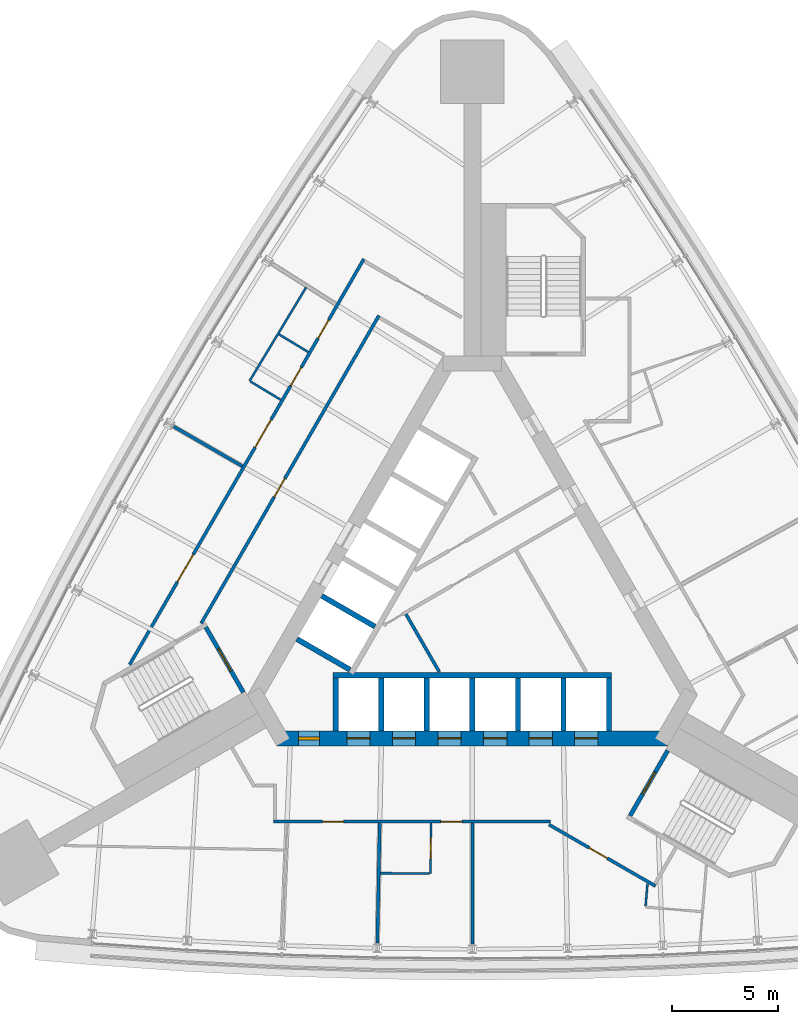
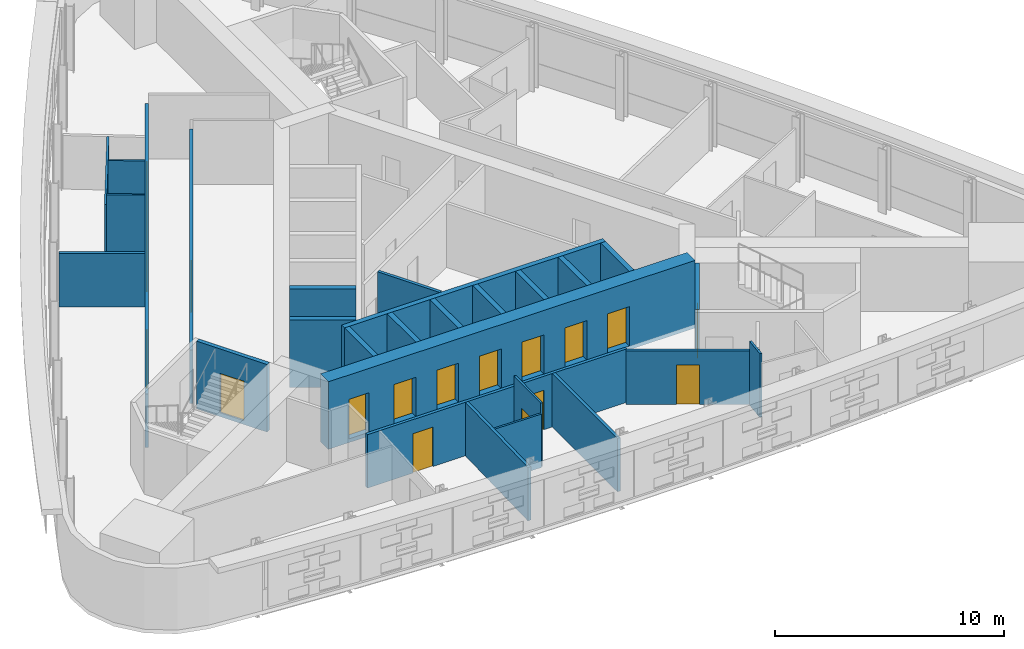
# One storey, part 7 of 11: 27 walls, 18 doors, 18 openings.
"""IFC4 building model written with IfcOpenShell, lengths in metres."""

import ifcopenshell
import ifcopenshell.guid

model = None  # the IFC model being written
_history = None  # IfcOwnerHistory: only IFC2X3 demands one
_inside = {}  # id of a spatial element -> (the spatial element, [elements in it])
_under = {}  # id of a project, library or spatial element -> (it, [spatial elements below it])
_declared = {}  # id of a project -> (the project, [libraries it declares])
_typed = {}  # id of a type object -> (the type object, [elements of that type])
_made_of = {}  # id of a material, layer set ... -> (it, [elements and type objects made of it])


def new_model(schema):
    """Start an empty IFC model of exactly this schema.

    Asked for "IFC4X3", IfcOpenShell would pick the latest addendum, in which some entities
    have other attributes; the version numbers below select the first issue.
    IFC2X3 requires an IfcOwnerHistory on every rooted entity: one is made here for all.
    """
    global model, _history
    if schema == "IFC4X3":
        model = ifcopenshell.file(schema_version=(4, 3, 0, 0))
    else:
        model = ifcopenshell.file(schema=schema)
    _inside.clear()
    _under.clear()
    _declared.clear()
    _typed.clear()
    _made_of.clear()
    _history = None
    if model.schema == "IFC2X3":
        org = make("IfcOrganization", Name="unknown")
        user = make(
            "IfcPersonAndOrganization",
            ThePerson=make("IfcPerson", FamilyName="unknown"),
            TheOrganization=org,
        )
        app = make(
            "IfcApplication",
            ApplicationDeveloper=org,
            Version="unknown",
            ApplicationFullName="unknown",
            ApplicationIdentifier="unknown",
        )
        _history = make(
            "IfcOwnerHistory",
            OwningUser=user,
            OwningApplication=app,
            ChangeAction="ADDED",
            CreationDate=0,
        )
    return model


def make(cls, **values):
    """One entity of the class cls with the attributes given. An attribute that is None is left unset."""
    return model.create_entity(
        cls, **{name: value for name, value in values.items() if value is not None}
    )


def rooted(cls, **values):
    """An entity with a GlobalId (a new one), such as an element, a storey or a relation."""
    return make(cls, GlobalId=ifcopenshell.guid.new(), OwnerHistory=_history, **values)


def si_unit(unit_type, name, prefix=None):
    """IfcSIUnit, for example si_unit("LENGTHUNIT", "METRE", prefix="MILLI")."""
    return make("IfcSIUnit", UnitType=unit_type, Prefix=prefix, Name=name)


def assignment(units):
    """IfcUnitAssignment: the units of a project."""
    return None if units is None else make("IfcUnitAssignment", Units=units)


def point(xyz):
    """IfcCartesianPoint."""
    return None if xyz is None else make("IfcCartesianPoint", Coordinates=xyz)


def direction(xyz):
    """IfcDirection."""
    return None if xyz is None else make("IfcDirection", DirectionRatios=xyz)


def frame(location, z_axis=None, x_axis=None):
    """IfcAxis2Placement3D, a coordinate frame: its origin and axes. An axis left out is left unset."""
    return make(
        "IfcAxis2Placement3D",
        Location=point(location),
        Axis=direction(z_axis),
        RefDirection=direction(x_axis),
    )


def frame_2d(location, x_axis=None):
    """IfcAxis2Placement2D, a coordinate frame in the plane: its origin and x axis."""
    return make(
        "IfcAxis2Placement2D", Location=point(location), RefDirection=direction(x_axis)
    )


def origin():
    """The frame at (0, 0, 0) with its axes left unset."""
    return frame((0.0, 0.0, 0.0))


def place(relative_to, where):
    """IfcLocalPlacement: puts the frame where relative to a parent placement (None: the world)."""
    return make(
        "IfcLocalPlacement", PlacementRelTo=relative_to, RelativePlacement=where
    )


def context(
    kind, dimensions, precision=None, world=None, true_north=None, identifier=None
):
    """IfcGeometricRepresentationContext, for example the 3D "Model" context."""
    return make(
        "IfcGeometricRepresentationContext",
        ContextIdentifier=identifier,
        ContextType=kind,
        CoordinateSpaceDimension=dimensions,
        Precision=precision,
        WorldCoordinateSystem=world,
        TrueNorth=true_north,
    )


def subcontext(parent, identifier, kind, view, scale=None):
    """IfcGeometricRepresentationSubContext, for example "Body" below "Model"."""
    return make(
        "IfcGeometricRepresentationSubContext",
        ContextIdentifier=identifier,
        ContextType=kind,
        ParentContext=parent,
        TargetScale=scale,
        TargetView=view,
    )


def project(units=None, contexts=None):
    """IfcProject with its units and contexts."""
    return rooted(
        "IfcProject",
        Name="project",
        RepresentationContexts=contexts,
        UnitsInContext=assignment(units),
    )


def spatial(cls, under=None, at=None, **own):
    """A site, building, storey or space (cls), placed at a placement, below another one or the project."""
    s = rooted(cls, ObjectPlacement=at, **own)
    if under is not None:
        _under.setdefault(under.id(), (under, []))[1].append(s)
    return s


def profile(cls, at=None, kind="AREA", **sizes):
    """A parametric profile (cls). Its sizes go by their IFC names, for example OverallWidth=200.0."""
    return make(cls, ProfileType=kind, Position=at, **sizes)


def rectangle(**sizes):
    """IfcRectangleProfileDef."""
    return profile("IfcRectangleProfileDef", **sizes)


def extrude(swept, where, along, depth):
    """IfcExtrudedAreaSolid: the profile swept, set in the frame where, extruded along a direction by depth."""
    return make(
        "IfcExtrudedAreaSolid",
        SweptArea=swept,
        Position=where,
        ExtrudedDirection=direction(along),
        Depth=depth,
    )


def shape(context_of_items, identifier, shape_type, items):
    """IfcShapeRepresentation: the items that make up one representation, for example the "Body"."""
    return make(
        "IfcShapeRepresentation",
        ContextOfItems=context_of_items,
        RepresentationIdentifier=identifier,
        RepresentationType=shape_type,
        Items=items,
    )


def material(Name=None, Category=None):
    """IfcMaterial."""
    return make("IfcMaterial", Name=Name, Category=Category)


def layer(
    of_material, thickness, ventilated=None, Name=None, Category=None, Priority=None
):
    """IfcMaterialLayer: one layer of a wall or slab, of a material (None: an air gap)."""
    return make(
        "IfcMaterialLayer",
        Material=of_material,
        LayerThickness=thickness,
        IsVentilated=ventilated,
        Name=Name,
        Category=Category,
        Priority=Priority,
    )


def layer_set(layers, Name=None):
    """IfcMaterialLayerSet."""
    return make("IfcMaterialLayerSet", MaterialLayers=layers, LayerSetName=Name)


def made_of(thing, what):
    """Note that an element or type object is made of a material, layer set ...; save() writes the relation."""
    if what is not None:
        _made_of.setdefault(what.id(), (what, []))[1].append(thing)
    return thing


def type_object(cls, material=None, **own):
    """A type object (cls), such as IfcWallType, which elements share."""
    return made_of(rooted(cls, **own), material)


def element(
    cls,
    number,
    at=None,
    inside=None,
    cuts=None,
    type_object=None,
    material=None,
    context=None,
    identifier="Body",
    shape_type=None,
    held_by="IfcProductDefinitionShape",
    body=None,
    shapes=None,
    **own,
):
    """One element of the class cls, such as IfcWall. Its Tag is "e" and its number.

    at: its placement. inside: the storey or other place that contains it. cuts: it is an
    opening in that element (IfcRelVoidsElement). A single representation is given by context,
    identifier, shape_type and body (its items); several are given by shapes. held_by: the class
    of the entity that holds the representations. save() writes the other relations.
    """
    e = rooted(cls, Tag="e%d" % number, ObjectPlacement=at, **own)
    if body is not None:
        shapes = [shape(context, identifier, shape_type, body)]
    if shapes is not None:
        e.Representation = make(held_by, Representations=shapes)
    if inside is not None:
        _inside.setdefault(inside.id(), (inside, []))[1].append(e)
    if cuts is not None:
        rooted(
            "IfcRelVoidsElement", RelatingBuildingElement=cuts, RelatedOpeningElement=e
        )
    if type_object is not None:
        _typed.setdefault(type_object.id(), (type_object, []))[1].append(e)
    return made_of(e, material)


def fill(opening, filler):
    """IfcRelFillsElement: the door or window that sits in an opening."""
    return rooted(
        "IfcRelFillsElement",
        RelatingOpeningElement=opening,
        RelatedBuildingElement=filler,
    )


def aggregate(whole, parts):
    """IfcRelAggregates: a whole, such as a stair, and the parts it consists of."""
    return rooted("IfcRelAggregates", RelatingObject=whole, RelatedObjects=parts)


def save(model, path):
    """Write the relations noted so far, then the file.

    IfcRelAggregates (storeys below a building ...), IfcRelContainedInSpatialStructure (elements
    in a storey), IfcRelDefinesByType, IfcRelAssociatesMaterial and IfcRelDeclares: one each for
    every whole, place, type object, material and project.
    """
    for whole, parts in _under.values():
        aggregate(whole, parts)
    for where, things in _inside.values():
        rooted(
            "IfcRelContainedInSpatialStructure",
            RelatedElements=things,
            RelatingStructure=where,
        )
    for kind, things in _typed.values():
        rooted("IfcRelDefinesByType", RelatedObjects=things, RelatingType=kind)
    for what, things in _made_of.values():
        rooted("IfcRelAssociatesMaterial", RelatedObjects=things, RelatingMaterial=what)
    for by, libraries in _declared.values():
        rooted("IfcRelDeclares", RelatingContext=by, RelatedDefinitions=libraries)
    model.write(path)


model = new_model("IFC4")

# Units and contexts
model_context = context("Model", 3, precision=1e-05, world=origin(), true_north=direction((0.0, 1.0)))
body_context = subcontext(model_context, "Body", "Model", "MODEL_VIEW")
ifc_project = project(units=[si_unit("LENGTHUNIT", "METRE"), si_unit("AREAUNIT", "SQUARE_METRE"), si_unit("VOLUMEUNIT", "CUBIC_METRE"), si_unit("PLANEANGLEUNIT", "RADIAN"), si_unit("MASSUNIT", "GRAM", prefix="KILO")], contexts=[model_context])

# Site, building, storey
site_placement = place(None, origin())
site = spatial("IfcSite", under=ifc_project, at=site_placement, CompositionType="ELEMENT")
building_placement = place(site_placement, origin())
building = spatial("IfcBuilding", under=site, at=building_placement, Name="Noor Cloister Tower", CompositionType="ELEMENT")
storey_placement = place(building_placement, frame((0.0, 0.0, 113.10009765625)))
storey = spatial("IfcBuildingStorey", under=building, at=storey_placement, Name="L29", CompositionType="ELEMENT", Elevation=113.10009765625)

# Wall
ifc_material_1 = material(Name="Concrete C30/37", Category="concrete")
ifc_layer_1 = layer(ifc_material_1, 0.14990234375)
ifc_layer_set_1 = layer_set([ifc_layer_1], Name="Core partition 150 C30/37")
wall_type_1 = type_object("IfcWallType", Name="Core partition 150 C30/37", PredefinedType="PARTITIONING", material=ifc_layer_set_1)
wall_1_placement = place(storey_placement, frame((-1.561279296875, -3.439208984375, 0.0), z_axis=(0.0, 0.0, 1.0), x_axis=(-0.499989077369, 0.866031709877, 0.0)))
element("IfcWall", 1, at=wall_1_placement, inside=storey, type_object=wall_type_1, Name="Core room partition L29 3", PredefinedType="PARTITIONING", context=body_context, shape_type="SweptSolid", body=[
    extrude(rectangle(XDim=3.14404296875, YDim=0.14990234375, at=frame_2d((1.572021484375, 0.0))), origin(), (0.0, 0.0, 1.0), 3.39990234375),
])

# Wall, openings, doors
ifc_material_2 = material(Name="Concrete C80/95", Category="concrete")
ifc_layer_2 = layer(ifc_material_2, 0.699951171875)
ifc_layer_set_2 = layer_set([ifc_layer_2], Name="Core wall 700 C80/95")
wall_type_2 = type_object("IfcWallType", Name="Core wall 700 C80/95", PredefinedType="SHEAR", material=ifc_layer_set_2)
wall_2_placement = place(storey_placement, frame((-9.228759765625, -6.578125, -0.2001953125), z_axis=(0.0, 0.0, 1.0), x_axis=(1.0, 0.0, 0.0)))
wall_2 = element("IfcWall", 2, at=wall_2_placement, inside=storey, type_object=wall_type_2, Name="Core wall L29 1", PredefinedType="SHEAR", context=body_context, shape_type="SweptSolid", body=[
    extrude(rectangle(XDim=18.45751953125, YDim=0.699951171875, at=frame_2d((9.228759765625, 0.0))), origin(), (0.0, 0.0, 1.0), 3.60009765625),
])
opening_1_placement = place(wall_2_placement, frame((3.3037109375, 0.0, 0.199951171875)))
opening_1 = element("IfcOpeningElement", 3, at=opening_1_placement, cuts=wall_2, Name="Opening L29-LR1", PredefinedType="OPENING", context=body_context, shape_type="SweptSolid", body=[
    extrude(rectangle(XDim=1.10009765625, YDim=2.10009765625, at=frame_2d((0.550048828125, 1.050048828125))), frame((0.0, 0.35986328125, 0.0), z_axis=(0.0, -1.0, 0.0), x_axis=(1.0, 0.0, 0.0)), (0.0, 0.0, 1.0), 0.719970703125),
])
opening_2_placement = place(wall_2_placement, frame((5.45361328125, 0.0, 0.199951171875)))
opening_2 = element("IfcOpeningElement", 4, at=opening_2_placement, cuts=wall_2, Name="Opening L29-LR2", PredefinedType="OPENING", context=body_context, shape_type="SweptSolid", body=[
    extrude(rectangle(XDim=1.10009765625, YDim=2.10009765625, at=frame_2d((0.550048828125, 1.050048828125))), frame((0.0, 0.35986328125, 0.0), z_axis=(0.0, -1.0, 0.0), x_axis=(1.0, 0.0, 0.0)), (0.0, 0.0, 1.0), 0.719970703125),
])
opening_3_placement = place(wall_2_placement, frame((7.603759765625, 0.0, 0.199951171875)))
opening_3 = element("IfcOpeningElement", 5, at=opening_3_placement, cuts=wall_2, Name="Opening L29-LR3", PredefinedType="OPENING", context=body_context, shape_type="SweptSolid", body=[
    extrude(rectangle(XDim=1.10009765625, YDim=2.10009765625, at=frame_2d((0.550048828125, 1.050048828125))), frame((0.0, 0.35986328125, 0.0), z_axis=(0.0, -1.0, 0.0), x_axis=(1.0, 0.0, 0.0)), (0.0, 0.0, 1.0), 0.719970703125),
])
opening_4_placement = place(wall_2_placement, frame((9.753662109375, 0.0, 0.199951171875)))
opening_4 = element("IfcOpeningElement", 6, at=opening_4_placement, cuts=wall_2, Name="Opening L29-LR4", PredefinedType="OPENING", context=body_context, shape_type="SweptSolid", body=[
    extrude(rectangle(XDim=1.10009765625, YDim=2.10009765625, at=frame_2d((0.550048828125, 1.050048828125))), frame((0.0, 0.35986328125, 0.0), z_axis=(0.0, -1.0, 0.0), x_axis=(1.0, 0.0, 0.0)), (0.0, 0.0, 1.0), 0.719970703125),
])
opening_5_placement = place(wall_2_placement, frame((11.90380859375, 0.0, 0.199951171875)))
opening_5 = element("IfcOpeningElement", 7, at=opening_5_placement, cuts=wall_2, Name="Opening L29-LR5", PredefinedType="OPENING", context=body_context, shape_type="SweptSolid", body=[
    extrude(rectangle(XDim=1.10009765625, YDim=2.10009765625, at=frame_2d((0.550048828125, 1.050048828125))), frame((0.0, 0.35986328125, 0.0), z_axis=(0.0, -1.0, 0.0), x_axis=(1.0, 0.0, 0.0)), (0.0, 0.0, 1.0), 0.719970703125),
])
opening_6_placement = place(wall_2_placement, frame((14.0537109375, 0.0, 0.199951171875)))
opening_6 = element("IfcOpeningElement", 8, at=opening_6_placement, cuts=wall_2, Name="Opening L29-LR6", PredefinedType="OPENING", context=body_context, shape_type="SweptSolid", body=[
    extrude(rectangle(XDim=1.10009765625, YDim=2.10009765625, at=frame_2d((0.550048828125, 1.050048828125))), frame((0.0, 0.35986328125, 0.0), z_axis=(0.0, -1.0, 0.0), x_axis=(1.0, 0.0, 0.0)), (0.0, 0.0, 1.0), 0.719970703125),
])
opening_7_placement = place(wall_2_placement, frame((1.02880859375, 0.0, 0.199951171875)))
opening_7 = element("IfcOpeningElement", 9, at=opening_7_placement, cuts=wall_2, Name="Opening L29-907", PredefinedType="OPENING", context=body_context, shape_type="SweptSolid", body=[
    extrude(rectangle(XDim=1.0, YDim=2.10009765625, at=frame_2d((0.5, 1.050048828125))), frame((0.0, 0.35986328125, 0.0), z_axis=(0.0, -1.0, 0.0), x_axis=(1.0, 0.0, 0.0)), (0.0, 0.0, 1.0), 0.719970703125),
])
ifc_material_3 = material(Name="Steel", Category="steel")
door_type_1 = type_object("IfcDoorType", Name="Core door 1000 x 2100 FD60", OperationType="SINGLE_SWING_LEFT", PredefinedType="DOOR", material=ifc_material_3)
door_1_placement = place(opening_7_placement, origin())
door_1 = element("IfcDoor", 10, at=door_1_placement, inside=storey, type_object=door_type_1, Name="Core door 7 L29", OperationType="SINGLE_SWING_LEFT", OverallHeight=2.10009765625, OverallWidth=1.0, PredefinedType="DOOR", context=body_context, shape_type="SweptSolid", body=[
    extrude(rectangle(XDim=1.0, YDim=2.10009765625, at=frame_2d((0.5, 1.050048828125))), frame((0.0, 0.074951171875, 0.0), z_axis=(0.0, -1.0, 0.0), x_axis=(1.0, 0.0, 0.0)), (0.0, 0.0, 1.0), 0.14990234375),
])
fill(opening_7, door_1)
ifc_material_4 = material(Name="Stainless steel", Category="steel")
door_type_2 = type_object("IfcDoorType", Name="Lift landing door 1100 x 2100", OperationType="DOUBLE_DOOR_SLIDING", PredefinedType="DOOR", material=ifc_material_4)
door_2_placement = place(opening_1_placement, origin())
door_2 = element("IfcDoor", 11, at=door_2_placement, inside=storey, type_object=door_type_2, Name="Landing door LR1 L29", OperationType="DOUBLE_DOOR_SLIDING", OverallHeight=2.10009765625, OverallWidth=1.10009765625, PredefinedType="DOOR", context=body_context, shape_type="SweptSolid", body=[
    extrude(rectangle(XDim=1.10009765625, YDim=2.10009765625, at=frame_2d((0.550048828125, 1.050048828125))), frame((0.0, 0.02490234375, 0.0), z_axis=(0.0, -1.0, 0.0), x_axis=(1.0, 0.0, 0.0)), (0.0, 0.0, 1.0), 0.050048828125),
])
fill(opening_1, door_2)
door_3_placement = place(opening_2_placement, origin())
door_3 = element("IfcDoor", 12, at=door_3_placement, inside=storey, type_object=door_type_2, Name="Landing door LR2 L29", OperationType="DOUBLE_DOOR_SLIDING", OverallHeight=2.10009765625, OverallWidth=1.10009765625, PredefinedType="DOOR", context=body_context, shape_type="SweptSolid", body=[
    extrude(rectangle(XDim=1.10009765625, YDim=2.10009765625, at=frame_2d((0.550048828125, 1.050048828125))), frame((0.0, 0.02490234375, 0.0), z_axis=(0.0, -1.0, 0.0), x_axis=(1.0, 0.0, 0.0)), (0.0, 0.0, 1.0), 0.050048828125),
])
fill(opening_2, door_3)
door_4_placement = place(opening_3_placement, origin())
door_4 = element("IfcDoor", 13, at=door_4_placement, inside=storey, type_object=door_type_2, Name="Landing door LR3 L29", OperationType="DOUBLE_DOOR_SLIDING", OverallHeight=2.10009765625, OverallWidth=1.10009765625, PredefinedType="DOOR", context=body_context, shape_type="SweptSolid", body=[
    extrude(rectangle(XDim=1.10009765625, YDim=2.10009765625, at=frame_2d((0.550048828125, 1.050048828125))), frame((0.0, 0.02490234375, 0.0), z_axis=(0.0, -1.0, 0.0), x_axis=(1.0, 0.0, 0.0)), (0.0, 0.0, 1.0), 0.050048828125),
])
fill(opening_3, door_4)
door_5_placement = place(opening_4_placement, origin())
door_5 = element("IfcDoor", 14, at=door_5_placement, inside=storey, type_object=door_type_2, Name="Landing door LR4 L29", OperationType="DOUBLE_DOOR_SLIDING", OverallHeight=2.10009765625, OverallWidth=1.10009765625, PredefinedType="DOOR", context=body_context, shape_type="SweptSolid", body=[
    extrude(rectangle(XDim=1.10009765625, YDim=2.10009765625, at=frame_2d((0.550048828125, 1.050048828125))), frame((0.0, 0.02490234375, 0.0), z_axis=(0.0, -1.0, 0.0), x_axis=(1.0, 0.0, 0.0)), (0.0, 0.0, 1.0), 0.050048828125),
])
fill(opening_4, door_5)
door_6_placement = place(opening_5_placement, origin())
door_6 = element("IfcDoor", 15, at=door_6_placement, inside=storey, type_object=door_type_2, Name="Landing door LR5 L29", OperationType="DOUBLE_DOOR_SLIDING", OverallHeight=2.10009765625, OverallWidth=1.10009765625, PredefinedType="DOOR", context=body_context, shape_type="SweptSolid", body=[
    extrude(rectangle(XDim=1.10009765625, YDim=2.10009765625, at=frame_2d((0.550048828125, 1.050048828125))), frame((0.0, 0.02490234375, 0.0), z_axis=(0.0, -1.0, 0.0), x_axis=(1.0, 0.0, 0.0)), (0.0, 0.0, 1.0), 0.050048828125),
])
fill(opening_5, door_6)
door_7_placement = place(opening_6_placement, origin())
door_7 = element("IfcDoor", 16, at=door_7_placement, inside=storey, type_object=door_type_2, Name="Landing door LR6 L29", OperationType="DOUBLE_DOOR_SLIDING", OverallHeight=2.10009765625, OverallWidth=1.10009765625, PredefinedType="DOOR", context=body_context, shape_type="SweptSolid", body=[
    extrude(rectangle(XDim=1.10009765625, YDim=2.10009765625, at=frame_2d((0.550048828125, 1.050048828125))), frame((0.0, 0.02490234375, 0.0), z_axis=(0.0, -1.0, 0.0), x_axis=(1.0, 0.0, 0.0)), (0.0, 0.0, 1.0), 0.050048828125),
])
fill(opening_6, door_7)

# Wall, opening, door
ifc_material_5 = material(Name="Fire-rated gypsum board partition on steel studs, 150 mm", Category="steel")
ifc_layer_3 = layer(ifc_material_5, 0.14990234375)
ifc_layer_set_3 = layer_set([ifc_layer_3], Name="Fire lobby wall 150")
wall_type_3 = type_object("IfcWallType", Name="Fire lobby wall 150", PredefinedType="PARTITIONING", material=ifc_layer_set_3)
wall_3_placement = place(storey_placement, frame((-4.40673828125, 13.373779296875, 0.0), z_axis=(0.0, 0.0, 1.0), x_axis=(-0.499997181693, -0.866027030928, 0.0)))
wall_3 = element("IfcWall", 17, at=wall_3_placement, inside=storey, type_object=wall_type_3, Name="Fire lobby wall 150 L29 002", PredefinedType="PARTITIONING", context=body_context, shape_type="SweptSolid", body=[
    extrude(rectangle(XDim=16.76953125, YDim=0.14990234375, at=frame_2d((8.384765625, 0.0))), origin(), (0.0, 0.0, 1.0), 2.846923828125),
])
opening_8_placement = place(wall_3_placement, frame((8.878662109375, 0.0, 0.0)))
opening_8 = element("IfcOpeningElement", 18, at=opening_8_placement, cuts=wall_3, Name="Opening L29-005", PredefinedType="OPENING", context=body_context, shape_type="SweptSolid", body=[
    extrude(rectangle(XDim=1.0, YDim=2.10009765625, at=frame_2d((0.5, 1.050048828125))), frame((0.0, 0.0849609375, 0.0), z_axis=(0.0, -1.0, 0.0), x_axis=(1.0, 0.0, 0.0)), (0.0, 0.0, 1.0), 0.169921875),
])
ifc_material_6 = material(Name="Timber door leaf with steel frame", Category="steel")
door_type_3 = type_object("IfcDoorType", Name="Fire lobby door 1000", OperationType="NOTDEFINED", PredefinedType="DOOR", material=ifc_material_6)
door_8_placement = place(opening_8_placement, origin())
door_8 = element("IfcDoor", 19, at=door_8_placement, inside=storey, type_object=door_type_3, Name="Fire lobby door 1000 L29-005", OperationType="SINGLE_SWING_RIGHT", OverallHeight=2.10009765625, OverallWidth=1.0, PredefinedType="DOOR", context=body_context, shape_type="SweptSolid", body=[
    extrude(rectangle(XDim=1.0, YDim=2.10009765625, at=frame_2d((0.5, 1.050048828125))), frame((0.0, 0.02490234375, 0.0), z_axis=(0.0, -1.0, 0.0), x_axis=(1.0, 0.0, 0.0)), (0.0, 0.0, 1.0), 0.050048828125),
])
fill(opening_8, door_8)

# Wall, openings, doors
ifc_material_7 = material(Name="Gypsum board partition on steel studs, 150 mm", Category="steel")
ifc_layer_4 = layer(ifc_material_7, 0.14990234375)
ifc_layer_set_4 = layer_set([ifc_layer_4], Name="Flat wall 150")
wall_type_4 = type_object("IfcWallType", Name="Flat wall 150", PredefinedType="PARTITIONING", material=ifc_layer_set_4)
wall_4_placement = place(storey_placement, frame((-16.1689453125, -3.09912109375, 0.0), z_axis=(0.0, 0.0, 1.0), x_axis=(0.499999805269, 0.866025516212, 0.0)))
wall_4 = element("IfcWall", 20, at=wall_4_placement, inside=storey, type_object=wall_type_4, Name="Flat wall 150 L29 001", PredefinedType="PARTITIONING", context=body_context, shape_type="SweptSolid", body=[
    extrude(rectangle(XDim=22.09716796875, YDim=0.14990234375, at=frame_2d((11.048583984375, 0.0))), origin(), (0.0, 0.0, 1.0), 2.846923828125),
])
opening_9_placement = place(wall_4_placement, frame((17.77587890625, 0.0, 0.0)))
opening_9 = element("IfcOpeningElement", 21, at=opening_9_placement, cuts=wall_4, Name="Opening L29-001", PredefinedType="OPENING", context=body_context, shape_type="SweptSolid", body=[
    extrude(rectangle(XDim=1.0, YDim=2.10009765625, at=frame_2d((0.5, 1.050048828125))), frame((0.0, 0.0849609375, 0.0), z_axis=(0.0, -1.0, 0.0), x_axis=(1.0, 0.0, 0.0)), (0.0, 0.0, 1.0), 0.169921875),
])
opening_10_placement = place(wall_4_placement, frame((15.186279296875, 0.0, 0.0)))
opening_10 = element("IfcOpeningElement", 22, at=opening_10_placement, cuts=wall_4, Name="Opening L29-002", PredefinedType="OPENING", context=body_context, shape_type="SweptSolid", body=[
    extrude(rectangle(XDim=1.0, YDim=2.10009765625, at=frame_2d((0.5, 1.050048828125))), frame((0.0, 0.0849609375, 0.0), z_axis=(0.0, -1.0, 0.0), x_axis=(1.0, 0.0, 0.0)), (0.0, 0.0, 1.0), 0.169921875),
])
opening_11_placement = place(wall_4_placement, frame((11.83984375, 0.0, 0.0)))
opening_11 = element("IfcOpeningElement", 23, at=opening_11_placement, cuts=wall_4, Name="Opening L29-003", PredefinedType="OPENING", context=body_context, shape_type="SweptSolid", body=[
    extrude(rectangle(XDim=1.5, YDim=2.10009765625, at=frame_2d((0.75, 1.050048828125))), frame((0.0, 0.0849609375, 0.0), z_axis=(0.0, -1.0, 0.0), x_axis=(1.0, 0.0, 0.0)), (0.0, 0.0, 1.0), 0.169921875),
])
opening_12_placement = place(wall_4_placement, frame((4.50341796875, 0.0, 0.0)))
opening_12 = element("IfcOpeningElement", 24, at=opening_12_placement, cuts=wall_4, Name="Opening L29-004", PredefinedType="OPENING", context=body_context, shape_type="SweptSolid", body=[
    extrude(rectangle(XDim=1.5, YDim=2.10009765625, at=frame_2d((0.75, 1.050048828125))), frame((0.0, 0.0849609375, 0.0), z_axis=(0.0, -1.0, 0.0), x_axis=(1.0, 0.0, 0.0)), (0.0, 0.0, 1.0), 0.169921875),
])
ifc_material_8 = material(Name="Timber door leaf with steel frame", Category="steel")
door_type_4 = type_object("IfcDoorType", Name="Accessible WC door 1000", OperationType="NOTDEFINED", PredefinedType="DOOR", material=ifc_material_8)
door_9_placement = place(opening_9_placement, origin())
door_9 = element("IfcDoor", 25, at=door_9_placement, inside=storey, type_object=door_type_4, Name="Accessible WC door 1000 L29-001", OperationType="SINGLE_SWING_RIGHT", OverallHeight=2.10009765625, OverallWidth=1.0, PredefinedType="DOOR", context=body_context, shape_type="SweptSolid", body=[
    extrude(rectangle(XDim=1.0, YDim=2.10009765625, at=frame_2d((0.5, 1.050048828125))), frame((0.0, 0.02490234375, 0.0), z_axis=(0.0, -1.0, 0.0), x_axis=(1.0, 0.0, 0.0)), (0.0, 0.0, 1.0), 0.050048828125),
])
fill(opening_9, door_9)
ifc_material_9 = material(Name="Timber door leaf with steel frame", Category="steel")
door_type_5 = type_object("IfcDoorType", Name="Double door 1500 FD60", OperationType="NOTDEFINED", PredefinedType="DOOR", material=ifc_material_9)
door_10_placement = place(opening_11_placement, origin())
door_10 = element("IfcDoor", 26, at=door_10_placement, inside=storey, type_object=door_type_5, Name="Double door 1500 L29-003", OperationType="DOUBLE_DOOR_SINGLE_SWING", OverallHeight=2.10009765625, OverallWidth=1.5, PredefinedType="DOOR", context=body_context, shape_type="SweptSolid", body=[
    extrude(rectangle(XDim=1.5, YDim=2.10009765625, at=frame_2d((0.75, 1.050048828125))), frame((0.0, 0.02490234375, 0.0), z_axis=(0.0, -1.0, 0.0), x_axis=(1.0, 0.0, 0.0)), (0.0, 0.0, 1.0), 0.050048828125),
])
fill(opening_11, door_10)
door_11_placement = place(opening_12_placement, origin())
door_11 = element("IfcDoor", 27, at=door_11_placement, inside=storey, type_object=door_type_5, Name="Double door 1500 L29-004", OperationType="DOUBLE_DOOR_SINGLE_SWING", OverallHeight=2.10009765625, OverallWidth=1.5, PredefinedType="DOOR", context=body_context, shape_type="SweptSolid", body=[
    extrude(rectangle(XDim=1.5, YDim=2.10009765625, at=frame_2d((0.75, 1.050048828125))), frame((0.0, 0.02490234375, 0.0), z_axis=(0.0, -1.0, 0.0), x_axis=(1.0, 0.0, 0.0)), (0.0, 0.0, 1.0), 0.050048828125),
])
fill(opening_12, door_11)
ifc_material_10 = material(Name="Timber door leaf with steel frame", Category="steel")
door_type_6 = type_object("IfcDoorType", Name="Interior door 1000 FD60", OperationType="NOTDEFINED", PredefinedType="DOOR", material=ifc_material_10)
door_12_placement = place(opening_10_placement, origin())
door_12 = element("IfcDoor", 28, at=door_12_placement, inside=storey, type_object=door_type_6, Name="Interior door 1000 L29-002", OperationType="SINGLE_SWING_RIGHT", OverallHeight=2.10009765625, OverallWidth=1.0, PredefinedType="DOOR", context=body_context, shape_type="SweptSolid", body=[
    extrude(rectangle(XDim=1.0, YDim=2.10009765625, at=frame_2d((0.5, 1.050048828125))), frame((0.0, 0.02490234375, 0.0), z_axis=(0.0, -1.0, 0.0), x_axis=(1.0, 0.0, 0.0)), (0.0, 0.0, 1.0), 0.050048828125),
])
fill(opening_10, door_12)

wall_5_placement = place(storey_placement, frame((3.68896484375, -10.503173828125, 0.0), z_axis=(0.0, 0.0, 1.0), x_axis=(-1.0, 0.0, 0.0)))
wall_5 = element("IfcWall", 29, at=wall_5_placement, inside=storey, type_object=wall_type_4, Name="Flat wall 150 L29 004", PredefinedType="PARTITIONING", context=body_context, shape_type="SweptSolid", body=[
    extrude(rectangle(XDim=13.067626953125, YDim=0.14990234375, at=frame_2d((6.53369140625, 0.0))), origin(), (0.0, 0.0, 1.0), 2.846923828125),
])
opening_13_placement = place(wall_5_placement, frame((9.75830078125, 0.0, 0.0)))
opening_13 = element("IfcOpeningElement", 30, at=opening_13_placement, cuts=wall_5, Name="Opening L29-008", PredefinedType="OPENING", context=body_context, shape_type="SweptSolid", body=[
    extrude(rectangle(XDim=1.0, YDim=2.10009765625, at=frame_2d((0.5, 1.050048828125))), frame((0.0, 0.0849609375, 0.0), z_axis=(0.0, -1.0, 0.0), x_axis=(1.0, 0.0, 0.0)), (0.0, 0.0, 1.0), 0.169921875),
])
opening_14_placement = place(wall_5_placement, frame((4.177490234375, 0.0, 0.0)))
opening_14 = element("IfcOpeningElement", 31, at=opening_14_placement, cuts=wall_5, Name="Opening L29-009", PredefinedType="OPENING", context=body_context, shape_type="SweptSolid", body=[
    extrude(rectangle(XDim=1.0, YDim=2.10009765625, at=frame_2d((0.5, 1.050048828125))), frame((0.0, 0.0849609375, 0.0), z_axis=(0.0, -1.0, 0.0), x_axis=(1.0, 0.0, 0.0)), (0.0, 0.0, 1.0), 0.169921875),
])
ifc_material_11 = material(Name="Timber door leaf with steel frame", Category="steel")
door_type_7 = type_object("IfcDoorType", Name="Flat entrance door 1000 FD60S", OperationType="NOTDEFINED", PredefinedType="DOOR", material=ifc_material_11)
door_13_placement = place(opening_13_placement, origin())
door_13 = element("IfcDoor", 32, at=door_13_placement, inside=storey, type_object=door_type_7, Name="Flat entrance door 1000 L29-008", OperationType="SINGLE_SWING_RIGHT", OverallHeight=2.10009765625, OverallWidth=1.0, PredefinedType="DOOR", context=body_context, shape_type="SweptSolid", body=[
    extrude(rectangle(XDim=1.0, YDim=2.10009765625, at=frame_2d((0.5, 1.050048828125))), frame((0.0, 0.02490234375, 0.0), z_axis=(0.0, -1.0, 0.0), x_axis=(1.0, 0.0, 0.0)), (0.0, 0.0, 1.0), 0.050048828125),
])
fill(opening_13, door_13)
door_14_placement = place(opening_14_placement, origin())
door_14 = element("IfcDoor", 33, at=door_14_placement, inside=storey, type_object=door_type_7, Name="Flat entrance door 1000 L29-009", OperationType="SINGLE_SWING_LEFT", OverallHeight=2.10009765625, OverallWidth=1.0, PredefinedType="DOOR", context=body_context, shape_type="SweptSolid", body=[
    extrude(rectangle(XDim=1.0, YDim=2.10009765625, at=frame_2d((0.5, 1.050048828125))), frame((0.0, 0.02490234375, 0.0), z_axis=(0.0, -1.0, 0.0), x_axis=(1.0, 0.0, 0.0)), (0.0, 0.0, 1.0), 0.050048828125),
])
fill(opening_14, door_14)

# Wall, opening, door
wall_6_placement = place(storey_placement, frame((8.64111328125, -13.5458984375, 0.0), z_axis=(0.0, 0.0, 1.0), x_axis=(-0.866042728627, 0.499969991291, 0.0)))
wall_6 = element("IfcWall", 34, at=wall_6_placement, inside=storey, type_object=wall_type_4, Name="Flat wall 150 L29 005", PredefinedType="PARTITIONING", context=body_context, shape_type="SweptSolid", body=[
    extrude(rectangle(XDim=5.805419921875, YDim=0.14990234375, at=frame_2d((2.90283203125, 0.0))), origin(), (0.0, 0.0, 1.0), 2.846923828125),
])
opening_15_placement = place(wall_6_placement, frame((2.6162109375, 0.0, 0.0)))
opening_15 = element("IfcOpeningElement", 35, at=opening_15_placement, cuts=wall_6, Name="Opening L29-010", PredefinedType="OPENING", context=body_context, shape_type="SweptSolid", body=[
    extrude(rectangle(XDim=1.0, YDim=2.10009765625, at=frame_2d((0.5, 1.050048828125))), frame((0.0, 0.0849609375, 0.0), z_axis=(0.0, -1.0, 0.0), x_axis=(1.0, 0.0, 0.0)), (0.0, 0.0, 1.0), 0.169921875),
])
door_15_placement = place(opening_15_placement, origin())
door_15 = element("IfcDoor", 36, at=door_15_placement, inside=storey, type_object=door_type_7, Name="Flat entrance door 1000 L29-010", OperationType="SINGLE_SWING_RIGHT", OverallHeight=2.10009765625, OverallWidth=1.0, PredefinedType="DOOR", context=body_context, shape_type="SweptSolid", body=[
    extrude(rectangle(XDim=1.0, YDim=2.10009765625, at=frame_2d((0.5, 1.050048828125))), frame((0.0, 0.02490234375, 0.0), z_axis=(0.0, -1.0, 0.0), x_axis=(1.0, 0.0, 0.0)), (0.0, 0.0, 1.0), 0.050048828125),
])
fill(opening_15, door_15)

# Walls
wall_7_placement = place(storey_placement, frame((0.0, -16.2744140625, 0.0), z_axis=(0.0, 0.0, 1.0), x_axis=(0.0, 1.0, 0.0)))
element("IfcWall", 37, at=wall_7_placement, inside=storey, type_object=wall_type_4, Name="Flat wall 150 L29 017", PredefinedType="PARTITIONING", context=body_context, shape_type="SweptSolid", body=[
    extrude(rectangle(XDim=5.6962890625, YDim=0.14990234375, at=frame_2d((2.84814453125, 0.0))), origin(), (0.0, 0.0, 1.0), 2.846923828125),
])
wall_8_placement = place(storey_placement, frame((-4.483642578125, -16.2294921875, 0.0), z_axis=(0.0, 0.0, 1.0), x_axis=(0.020089281754, 0.999798190016, 0.0)))
element("IfcWall", 38, at=wall_8_placement, inside=storey, type_object=wall_type_4, Name="Flat wall 150 L29 018", PredefinedType="PARTITIONING", context=body_context, shape_type="SweptSolid", body=[
    extrude(rectangle(XDim=5.651123046875, YDim=0.14990234375, at=frame_2d((2.82568359375, 0.0))), origin(), (0.0, 0.0, 1.0), 2.846923828125),
])
wall_9_placement = place(storey_placement, frame((-14.093994140625, 8.13720703125, 0.0), z_axis=(0.0, 0.0, 1.0), x_axis=(0.866036909293, -0.499980071345, 0.0)))
element("IfcWall", 39, at=wall_9_placement, inside=storey, type_object=wall_type_4, Name="Flat wall 150 L29 019", PredefinedType="PARTITIONING", context=body_context, shape_type="SweptSolid", body=[
    extrude(rectangle(XDim=3.746337890625, YDim=0.14990234375, at=frame_2d((1.873046875, 0.0))), origin(), (0.0, 0.0, 1.0), 2.846923828125),
])
ifc_material_12 = material(Name="Gypsum board partition on steel studs, 100 mm", Category="steel")
ifc_layer_5 = layer(ifc_material_12, 0.10009765625)
ifc_layer_set_5 = layer_set([ifc_layer_5], Name="Partition 100")
wall_type_5 = type_object("IfcWallType", Name="Partition 100", PredefinedType="PARTITIONING", material=ifc_layer_set_5)
wall_10_placement = place(storey_placement, frame((-7.842041015625, 14.70166015625, 0.0), z_axis=(0.0, 0.0, 1.0), x_axis=(-0.517269453202, -0.855822594224, 0.0)))
element("IfcWall", 40, at=wall_10_placement, inside=storey, type_object=wall_type_5, Name="Partition 100 L29 025", PredefinedType="PARTITIONING", context=body_context, shape_type="SweptSolid", body=[
    extrude(rectangle(XDim=5.15966796875, YDim=0.10009765625, at=frame_2d((2.579833984375, 0.0))), origin(), (0.0, 0.0, 1.0), 2.846923828125),
])

# Wall, opening, door
wall_11_placement = place(storey_placement, frame((-1.9755859375, -12.959228515625, 0.0), z_axis=(0.0, 0.0, 1.0), x_axis=(0.009947205513, 0.999950525327, 0.0)))
wall_11 = element("IfcWall", 41, at=wall_11_placement, inside=storey, type_object=wall_type_5, Name="Partition 100 L29 033", PredefinedType="PARTITIONING", context=body_context, shape_type="SweptSolid", body=[
    extrude(rectangle(XDim=2.380615234375, YDim=0.10009765625, at=frame_2d((1.1904296875, 0.0))), origin(), (0.0, 0.0, 1.0), 3.39990234375),
])
opening_16_placement = place(wall_11_placement, frame((0.699951171875, 0.0, 0.0)))
opening_16 = element("IfcOpeningElement", 42, at=opening_16_placement, cuts=wall_11, Name="Opening L29-022", PredefinedType="OPENING", context=body_context, shape_type="SweptSolid", body=[
    extrude(rectangle(XDim=1.0, YDim=2.10009765625, at=frame_2d((0.5, 1.050048828125))), frame((0.0, 0.06005859375, 0.0), z_axis=(0.0, -1.0, 0.0), x_axis=(1.0, 0.0, 0.0)), (0.0, 0.0, 1.0), 0.1201171875),
])
ifc_material_13 = material(Name="Timber door leaf with steel frame", Category="steel")
door_type_8 = type_object("IfcDoorType", Name="Interior door 1000", OperationType="NOTDEFINED", PredefinedType="DOOR", material=ifc_material_13)
door_16_placement = place(opening_16_placement, origin())
door_16 = element("IfcDoor", 43, at=door_16_placement, inside=storey, type_object=door_type_8, Name="Interior door 1000 L29-022", OperationType="SINGLE_SWING_RIGHT", OverallHeight=2.10009765625, OverallWidth=1.0, PredefinedType="DOOR", context=body_context, shape_type="SweptSolid", body=[
    extrude(rectangle(XDim=1.0, YDim=2.10009765625, at=frame_2d((0.5, 1.050048828125))), frame((0.0, 0.02490234375, 0.0), z_axis=(0.0, -1.0, 0.0), x_axis=(1.0, 0.0, 0.0)), (0.0, 0.0, 1.0), 0.050048828125),
])
fill(opening_16, door_16)

# Walls
wall_12_placement = place(storey_placement, frame((-4.342041015625, -12.935546875, 0.0), z_axis=(0.0, 0.0, 1.0), x_axis=(0.999949877213, -0.010012145693, 0.0)))
element("IfcWall", 44, at=wall_12_placement, inside=storey, type_object=wall_type_5, Name="Partition 100 L29 034", PredefinedType="PARTITIONING", context=body_context, shape_type="SweptSolid", body=[
    extrude(rectangle(XDim=2.31640625, YDim=0.10009765625, at=frame_2d((1.158203125, 0.0))), origin(), (0.0, 0.0, 1.0), 2.846923828125),
])
wall_13_placement = place(storey_placement, frame((-10.46826171875, 10.260009765625, 0.0), z_axis=(0.0, 0.0, 1.0), x_axis=(0.855795319679, -0.517314576264, 0.0)))
element("IfcWall", 45, at=wall_13_placement, inside=storey, type_object=wall_type_5, Name="Partition 100 L29 035", PredefinedType="PARTITIONING", context=body_context, shape_type="SweptSolid", body=[
    extrude(rectangle(XDim=1.6669921875, YDim=0.10009765625, at=frame_2d((0.83349609375, 0.0))), origin(), (0.0, 0.0, 1.0), 3.39990234375),
])
wall_14_placement = place(storey_placement, frame((-9.123291015625, 12.485107421875, 0.0), z_axis=(0.0, 0.0, 1.0), x_axis=(0.855820717892, -0.517272557581, 0.0)))
element("IfcWall", 46, at=wall_14_placement, inside=storey, type_object=wall_type_5, Name="Partition 100 L29 036", PredefinedType="PARTITIONING", context=body_context, shape_type="SweptSolid", body=[
    extrude(rectangle(XDim=1.61474609375, YDim=0.10009765625, at=frame_2d((0.807373046875, 0.0))), origin(), (0.0, 0.0, 1.0), 3.39990234375),
])
wall_15_placement = place(storey_placement, frame((8.259033203125, -13.4365234375, 0.0), z_axis=(0.0, 0.0, 1.0), x_axis=(-0.082180892167, -0.99661742959, 0.0)))
element("IfcWall", 47, at=wall_15_placement, inside=storey, type_object=wall_type_5, Name="Partition 100 L29 037", PredefinedType="PARTITIONING", context=body_context, shape_type="SweptSolid", body=[
    extrude(rectangle(XDim=1.0517578125, YDim=0.10009765625, at=frame_2d((0.52587890625, 0.0))), origin(), (0.0, 0.0, 1.0), 3.39990234375),
])
ifc_material_14 = material(Name="Concrete C80/95", Category="concrete")
ifc_layer_6 = layer(ifc_material_14, 0.25)
ifc_layer_set_6 = layer_set([ifc_layer_6], Name="Shaft wall 250 C80/95")
wall_type_6 = type_object("IfcWallType", Name="Shaft wall 250 C80/95", PredefinedType="PARTITIONING", material=ifc_layer_set_6)
for number, where, z_axis, x_axis, name in (
    (48, (-6.449951171875, -6.228271484375, -0.2001953125), (0.0, 0.0, 1.0), (0.0, 1.0, 0.0), "Lift shaft wall L29 S 1"),
    (49, (-4.300048828125, -6.228271484375, -0.2001953125), (0.0, 0.0, 1.0), (0.0, 1.0, 0.0), "Lift shaft wall L29 S 2"),
    (50, (-2.14990234375, -6.228271484375, -0.2001953125), (0.0, 0.0, 1.0), (0.0, 1.0, 0.0), "Lift shaft wall L29 S 3"),
    (51, (0.0, -6.228271484375, -0.2001953125), (0.0, 0.0, 1.0), (0.0, 1.0, 0.0), "Lift shaft wall L29 S 4"),
    (52, (2.14990234375, -6.228271484375, -0.2001953125), (0.0, 0.0, 1.0), (0.0, 1.0, 0.0), "Lift shaft wall L29 S 5"),
    (53, (4.300048828125, -6.228271484375, -0.2001953125), (0.0, 0.0, 1.0), (0.0, 1.0, 0.0), "Lift shaft wall L29 S 6"),
    (54, (6.449951171875, -6.228271484375, -0.2001953125), (0.0, 0.0, 1.0), (0.0, 1.0, 0.0), "Lift shaft wall L29 S 7"),
):
    element("IfcWall", number, at=place(storey_placement, frame(where, z_axis=z_axis, x_axis=x_axis)), inside=storey, type_object=wall_type_6, Name=name, PredefinedType="PARTITIONING", context=body_context, shape_type="SweptSolid", body=[
        extrude(rectangle(XDim=2.5, YDim=0.25, at=frame_2d((1.25, 0.0))), origin(), (0.0, 0.0, 1.0), 3.60009765625),
    ])
wall_16_placement = place(storey_placement, frame((-6.574951171875, -3.603271484375, 0.0), z_axis=(0.0, 0.0, 1.0), x_axis=(1.0, 0.0, 0.0)))
element("IfcWall", 55, at=wall_16_placement, inside=storey, type_object=wall_type_6, Name="Lift shaft back wall L29 S", PredefinedType="PARTITIONING", context=body_context, shape_type="SweptSolid", body=[
    extrude(rectangle(XDim=13.14990234375, YDim=0.25, at=frame_2d((6.574951171875, 0.0))), origin(), (0.0, 0.0, 1.0), 3.39990234375),
])
for number, where, z_axis, x_axis, name in (
    (56, (-7.106201171875, 0.14794921875, -0.2001953125), (0.0, 0.0, 1.0), (0.866032775405, -0.499987231761, 0.0), "Lift shaft wall L29 NW 5"),
    (57, (-8.28125, -1.88720703125, -0.2001953125), (0.0, 0.0, 1.0), (0.866032775405, -0.499987231761, 0.0), "Lift shaft wall L29 NW 6"),
):
    element("IfcWall", number, at=place(storey_placement, frame(where, z_axis=z_axis, x_axis=x_axis)), inside=storey, type_object=wall_type_6, Name=name, PredefinedType="PARTITIONING", context=body_context, shape_type="SweptSolid", body=[
        extrude(rectangle(XDim=2.89990234375, YDim=0.25, at=frame_2d((1.449951171875, 0.0))), origin(), (0.0, 0.0, 1.0), 3.60009765625),
    ])

# Wall, opening, door
ifc_material_15 = material(Name="Concrete C80/95", Category="concrete")
ifc_layer_7 = layer(ifc_material_15, 0.199951171875)
ifc_layer_set_7 = layer_set([ifc_layer_7], Name="Stair enclosure wall 200 C80/95")
wall_type_7 = type_object("IfcWallType", Name="Stair enclosure wall 200 C80/95", PredefinedType="SHEAR", material=ifc_layer_set_7)
wall_17_placement = place(storey_placement, frame((-12.575927734375, -1.33056640625, -0.2001953125), z_axis=(0.0, 0.0, 1.0), x_axis=(0.499970499736, -0.8660424351, 0.0)))
wall_17 = element("IfcWall", 58, at=wall_17_placement, inside=storey, type_object=wall_type_7, Name="Stair enclosure wall ST2 L29 near end", PredefinedType="SHEAR", context=body_context, shape_type="SweptSolid", body=[
    extrude(rectangle(XDim=3.550048828125, YDim=0.199951171875, at=frame_2d((1.77490234375, 0.0))), origin(), (0.0, 0.0, 1.0), 3.60009765625),
])
opening_17_placement = place(wall_17_placement, frame((1.175048828125, 0.0, 0.199951171875)))
opening_17 = element("IfcOpeningElement", 59, at=opening_17_placement, cuts=wall_17, Name="Opening L29-ST2L", PredefinedType="OPENING", context=body_context, shape_type="SweptSolid", body=[
    extrude(rectangle(XDim=1.199951171875, YDim=2.10009765625, at=frame_2d((0.60009765625, 1.050048828125))), frame((0.0, 0.10986328125, 0.0), z_axis=(0.0, -1.0, 0.0), x_axis=(1.0, 0.0, 0.0)), (0.0, 0.0, 1.0), 0.219970703125),
])
ifc_material_16 = material(Name="Steel", Category="steel")
door_type_9 = type_object("IfcDoorType", Name="Stair door 1200 x 2100 FD120", OperationType="SINGLE_SWING_LEFT", PredefinedType="DOOR", material=ifc_material_16)
door_17_placement = place(opening_17_placement, origin())
door_17 = element("IfcDoor", 60, at=door_17_placement, inside=storey, type_object=door_type_9, Name="Stair door ST2 L29", OperationType="SINGLE_SWING_RIGHT", OverallHeight=2.10009765625, OverallWidth=1.199951171875, PredefinedType="DOOR", context=body_context, shape_type="SweptSolid", body=[
    extrude(rectangle(XDim=1.199951171875, YDim=2.10009765625, at=frame_2d((0.60009765625, 1.050048828125))), frame((0.0, 0.02490234375, 0.0), z_axis=(0.0, -1.0, 0.0), x_axis=(1.0, 0.0, 0.0)), (0.0, 0.0, 1.0), 0.050048828125),
])
fill(opening_17, door_17)

wall_18_placement = place(storey_placement, frame((7.440185546875, -10.225830078125, -0.2001953125), z_axis=(0.0, 0.0, 1.0), x_axis=(0.500022077904, 0.866012656725, 0.0)))
wall_18 = element("IfcWall", 61, at=wall_18_placement, inside=storey, type_object=wall_type_7, Name="Stair enclosure wall ST3 L29 near end", PredefinedType="SHEAR", context=body_context, shape_type="SweptSolid", body=[
    extrude(rectangle(XDim=3.550048828125, YDim=0.199951171875, at=frame_2d((1.77490234375, 0.0))), origin(), (0.0, 0.0, 1.0), 3.60009765625),
])
opening_18_placement = place(wall_18_placement, frame((1.175048828125, 0.0, 0.199951171875)))
opening_18 = element("IfcOpeningElement", 62, at=opening_18_placement, cuts=wall_18, Name="Opening L29-ST3L", PredefinedType="OPENING", context=body_context, shape_type="SweptSolid", body=[
    extrude(rectangle(XDim=1.199951171875, YDim=2.10009765625, at=frame_2d((0.60009765625, 1.050048828125))), frame((0.0, 0.10986328125, 0.0), z_axis=(0.0, -1.0, 0.0), x_axis=(1.0, 0.0, 0.0)), (0.0, 0.0, 1.0), 0.219970703125),
])
door_18_placement = place(opening_18_placement, origin())
door_18 = element("IfcDoor", 63, at=door_18_placement, inside=storey, type_object=door_type_9, Name="Stair door ST3 L29", OperationType="SINGLE_SWING_RIGHT", OverallHeight=2.10009765625, OverallWidth=1.199951171875, PredefinedType="DOOR", context=body_context, shape_type="SweptSolid", body=[
    extrude(rectangle(XDim=1.199951171875, YDim=2.10009765625, at=frame_2d((0.60009765625, 1.050048828125))), frame((0.0, 0.02490234375, 0.0), z_axis=(0.0, -1.0, 0.0), x_axis=(1.0, 0.0, 0.0)), (0.0, 0.0, 1.0), 0.050048828125),
])
fill(opening_18, door_18)

save(model, "model.ifc")
